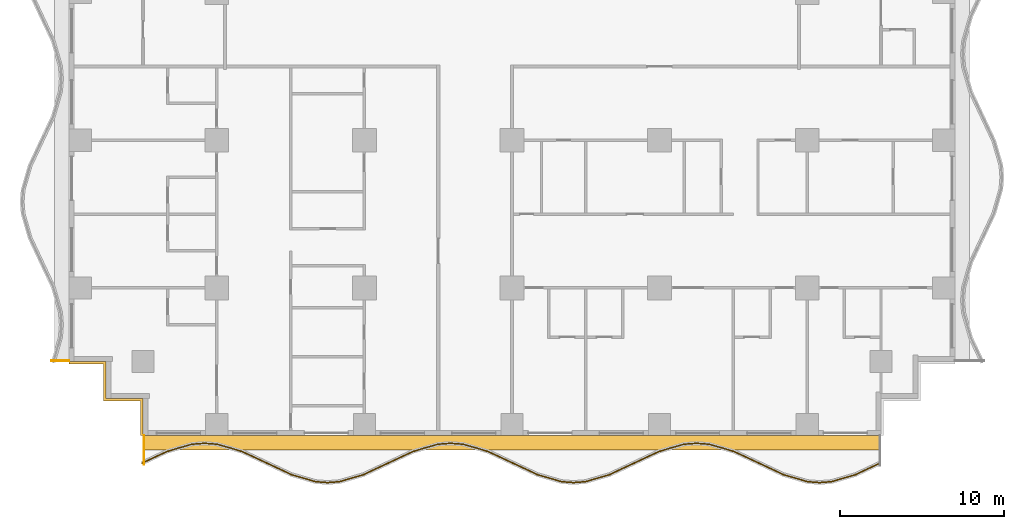
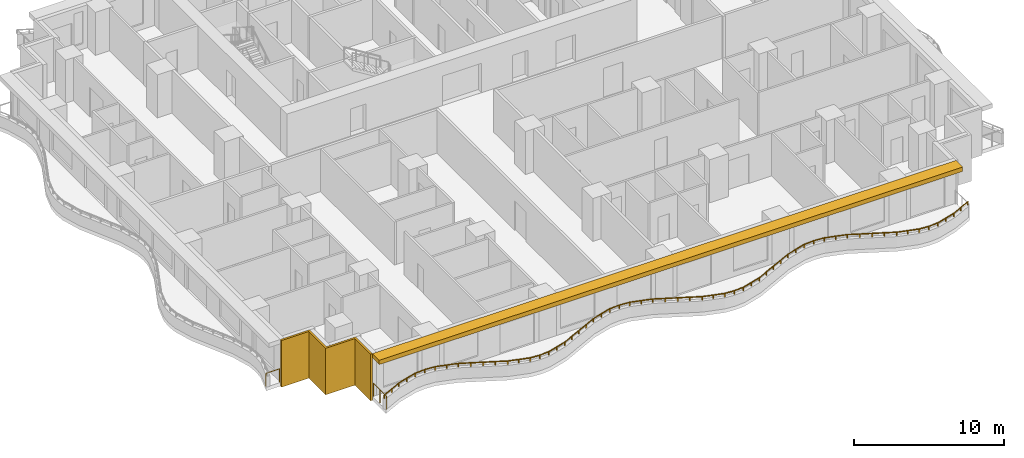
# One storey, part 8 of 14: 3 railings, 2 shading devices.
"""IFC4 building model written with IfcOpenShell, lengths in metres."""

import ifcopenshell
import ifcopenshell.guid

model = None  # the IFC model being written
_history = None  # IfcOwnerHistory: only IFC2X3 demands one
_inside = {}  # id of a spatial element -> (the spatial element, [elements in it])
_under = {}  # id of a project, library or spatial element -> (it, [spatial elements below it])
_declared = {}  # id of a project -> (the project, [libraries it declares])
_typed = {}  # id of a type object -> (the type object, [elements of that type])
_made_of = {}  # id of a material, layer set ... -> (it, [elements and type objects made of it])


def new_model(schema):
    """Start an empty IFC model of exactly this schema.

    Asked for "IFC4X3", IfcOpenShell would pick the latest addendum, in which some entities
    have other attributes; the version numbers below select the first issue.
    IFC2X3 requires an IfcOwnerHistory on every rooted entity: one is made here for all.
    """
    global model, _history
    if schema == "IFC4X3":
        model = ifcopenshell.file(schema_version=(4, 3, 0, 0))
    else:
        model = ifcopenshell.file(schema=schema)
    _inside.clear()
    _under.clear()
    _declared.clear()
    _typed.clear()
    _made_of.clear()
    _history = None
    if model.schema == "IFC2X3":
        org = make("IfcOrganization", Name="unknown")
        user = make(
            "IfcPersonAndOrganization",
            ThePerson=make("IfcPerson", FamilyName="unknown"),
            TheOrganization=org,
        )
        app = make(
            "IfcApplication",
            ApplicationDeveloper=org,
            Version="unknown",
            ApplicationFullName="unknown",
            ApplicationIdentifier="unknown",
        )
        _history = make(
            "IfcOwnerHistory",
            OwningUser=user,
            OwningApplication=app,
            ChangeAction="ADDED",
            CreationDate=0,
        )
    return model


def make(cls, **values):
    """One entity of the class cls with the attributes given. An attribute that is None is left unset."""
    return model.create_entity(
        cls, **{name: value for name, value in values.items() if value is not None}
    )


def rooted(cls, **values):
    """An entity with a GlobalId (a new one), such as an element, a storey or a relation."""
    return make(cls, GlobalId=ifcopenshell.guid.new(), OwnerHistory=_history, **values)


def si_unit(unit_type, name, prefix=None):
    """IfcSIUnit, for example si_unit("LENGTHUNIT", "METRE", prefix="MILLI")."""
    return make("IfcSIUnit", UnitType=unit_type, Prefix=prefix, Name=name)


def assignment(units):
    """IfcUnitAssignment: the units of a project."""
    return None if units is None else make("IfcUnitAssignment", Units=units)


def point(xyz):
    """IfcCartesianPoint."""
    return None if xyz is None else make("IfcCartesianPoint", Coordinates=xyz)


def direction(xyz):
    """IfcDirection."""
    return None if xyz is None else make("IfcDirection", DirectionRatios=xyz)


def frame(location, z_axis=None, x_axis=None):
    """IfcAxis2Placement3D, a coordinate frame: its origin and axes. An axis left out is left unset."""
    return make(
        "IfcAxis2Placement3D",
        Location=point(location),
        Axis=direction(z_axis),
        RefDirection=direction(x_axis),
    )


def frame_2d(location, x_axis=None):
    """IfcAxis2Placement2D, a coordinate frame in the plane: its origin and x axis."""
    return make(
        "IfcAxis2Placement2D", Location=point(location), RefDirection=direction(x_axis)
    )


def origin():
    """The frame at (0, 0, 0) with its axes left unset."""
    return frame((0.0, 0.0, 0.0))


def origin_2d():
    """The frame at (0, 0) in the plane with its x axis left unset."""
    return frame_2d((0.0, 0.0))


def place(relative_to, where):
    """IfcLocalPlacement: puts the frame where relative to a parent placement (None: the world)."""
    return make(
        "IfcLocalPlacement", PlacementRelTo=relative_to, RelativePlacement=where
    )


def context(
    kind, dimensions, precision=None, world=None, true_north=None, identifier=None
):
    """IfcGeometricRepresentationContext, for example the 3D "Model" context."""
    return make(
        "IfcGeometricRepresentationContext",
        ContextIdentifier=identifier,
        ContextType=kind,
        CoordinateSpaceDimension=dimensions,
        Precision=precision,
        WorldCoordinateSystem=world,
        TrueNorth=true_north,
    )


def subcontext(parent, identifier, kind, view, scale=None):
    """IfcGeometricRepresentationSubContext, for example "Body" below "Model"."""
    return make(
        "IfcGeometricRepresentationSubContext",
        ContextIdentifier=identifier,
        ContextType=kind,
        ParentContext=parent,
        TargetScale=scale,
        TargetView=view,
    )


def project(units=None, contexts=None):
    """IfcProject with its units and contexts."""
    return rooted(
        "IfcProject",
        Name="project",
        RepresentationContexts=contexts,
        UnitsInContext=assignment(units),
    )


def spatial(cls, under=None, at=None, **own):
    """A site, building, storey or space (cls), placed at a placement, below another one or the project."""
    s = rooted(cls, ObjectPlacement=at, **own)
    if under is not None:
        _under.setdefault(under.id(), (under, []))[1].append(s)
    return s


def polyline(points):
    """IfcPolyline through the points."""
    return make("IfcPolyline", Points=[point(p) for p in points])


def profile(cls, at=None, kind="AREA", **sizes):
    """A parametric profile (cls). Its sizes go by their IFC names, for example OverallWidth=200.0."""
    return make(cls, ProfileType=kind, Position=at, **sizes)


def rectangle(**sizes):
    """IfcRectangleProfileDef."""
    return profile("IfcRectangleProfileDef", **sizes)


def outline(outer, holes=None, kind="AREA"):
    """IfcArbitraryClosedProfileDef: a profile drawn as a closed curve; with holes, ...WithVoids."""
    if holes is None:
        return make("IfcArbitraryClosedProfileDef", ProfileType=kind, OuterCurve=outer)
    return make(
        "IfcArbitraryProfileDefWithVoids",
        ProfileType=kind,
        OuterCurve=outer,
        InnerCurves=holes,
    )


def extrude(swept, where, along, depth):
    """IfcExtrudedAreaSolid: the profile swept, set in the frame where, extruded along a direction by depth."""
    return make(
        "IfcExtrudedAreaSolid",
        SweptArea=swept,
        Position=where,
        ExtrudedDirection=direction(along),
        Depth=depth,
    )


def shape(context_of_items, identifier, shape_type, items):
    """IfcShapeRepresentation: the items that make up one representation, for example the "Body"."""
    return make(
        "IfcShapeRepresentation",
        ContextOfItems=context_of_items,
        RepresentationIdentifier=identifier,
        RepresentationType=shape_type,
        Items=items,
    )


def material(Name=None, Category=None):
    """IfcMaterial."""
    return make("IfcMaterial", Name=Name, Category=Category)


def layer(
    of_material, thickness, ventilated=None, Name=None, Category=None, Priority=None
):
    """IfcMaterialLayer: one layer of a wall or slab, of a material (None: an air gap)."""
    return make(
        "IfcMaterialLayer",
        Material=of_material,
        LayerThickness=thickness,
        IsVentilated=ventilated,
        Name=Name,
        Category=Category,
        Priority=Priority,
    )


def layer_set(layers, Name=None):
    """IfcMaterialLayerSet."""
    return make("IfcMaterialLayerSet", MaterialLayers=layers, LayerSetName=Name)


def made_of(thing, what):
    """Note that an element or type object is made of a material, layer set ...; save() writes the relation."""
    if what is not None:
        _made_of.setdefault(what.id(), (what, []))[1].append(thing)
    return thing


def type_object(cls, material=None, **own):
    """A type object (cls), such as IfcWallType, which elements share."""
    return made_of(rooted(cls, **own), material)


def element(
    cls,
    number,
    at=None,
    inside=None,
    cuts=None,
    type_object=None,
    material=None,
    context=None,
    identifier="Body",
    shape_type=None,
    held_by="IfcProductDefinitionShape",
    body=None,
    shapes=None,
    **own,
):
    """One element of the class cls, such as IfcWall. Its Tag is "e" and its number.

    at: its placement. inside: the storey or other place that contains it. cuts: it is an
    opening in that element (IfcRelVoidsElement). A single representation is given by context,
    identifier, shape_type and body (its items); several are given by shapes. held_by: the class
    of the entity that holds the representations. save() writes the other relations.
    """
    e = rooted(cls, Tag="e%d" % number, ObjectPlacement=at, **own)
    if body is not None:
        shapes = [shape(context, identifier, shape_type, body)]
    if shapes is not None:
        e.Representation = make(held_by, Representations=shapes)
    if inside is not None:
        _inside.setdefault(inside.id(), (inside, []))[1].append(e)
    if cuts is not None:
        rooted(
            "IfcRelVoidsElement", RelatingBuildingElement=cuts, RelatedOpeningElement=e
        )
    if type_object is not None:
        _typed.setdefault(type_object.id(), (type_object, []))[1].append(e)
    return made_of(e, material)


def aggregate(whole, parts):
    """IfcRelAggregates: a whole, such as a stair, and the parts it consists of."""
    return rooted("IfcRelAggregates", RelatingObject=whole, RelatedObjects=parts)


def save(model, path):
    """Write the relations noted so far, then the file.

    IfcRelAggregates (storeys below a building ...), IfcRelContainedInSpatialStructure (elements
    in a storey), IfcRelDefinesByType, IfcRelAssociatesMaterial and IfcRelDeclares: one each for
    every whole, place, type object, material and project.
    """
    for whole, parts in _under.values():
        aggregate(whole, parts)
    for where, things in _inside.values():
        rooted(
            "IfcRelContainedInSpatialStructure",
            RelatedElements=things,
            RelatingStructure=where,
        )
    for kind, things in _typed.values():
        rooted("IfcRelDefinesByType", RelatedObjects=things, RelatingType=kind)
    for what, things in _made_of.values():
        rooted("IfcRelAssociatesMaterial", RelatedObjects=things, RelatingMaterial=what)
    for by, libraries in _declared.values():
        rooted("IfcRelDeclares", RelatingContext=by, RelatedDefinitions=libraries)
    model.write(path)


model = new_model("IFC4")

# Units and contexts
model_context = context("Model", 3, precision=1e-05, world=origin(), true_north=direction((0.0, 1.0)))
body_context = subcontext(model_context, "Body", "Model", "MODEL_VIEW")
ifc_project = project(units=[si_unit("LENGTHUNIT", "METRE"), si_unit("AREAUNIT", "SQUARE_METRE"), si_unit("VOLUMEUNIT", "CUBIC_METRE"), si_unit("PLANEANGLEUNIT", "RADIAN"), si_unit("MASSUNIT", "GRAM", prefix="KILO")], contexts=[model_context])

# Site, building, storey
site_placement = place(None, origin())
site = spatial("IfcSite", under=ifc_project, at=site_placement, CompositionType="ELEMENT")
building_placement = place(site_placement, origin())
building = spatial("IfcBuilding", under=site, at=building_placement, Name="Orbiselva Terraces", CompositionType="ELEMENT")
storey_placement = place(building_placement, frame((0.0, 0.0, 60.6)))
storey = spatial("IfcBuildingStorey", under=building, at=storey_placement, Name="L15", CompositionType="ELEMENT", Elevation=60.6)

# Railings
ifc_material_1 = material(Name="Bonded two-ply safety glass balustrade, stainless steel posts", Category="steel")
railing_type_1 = type_object("IfcRailingType", Name="ENV-BALUSTRADE-1200", PredefinedType="BALUSTRADE", material=ifc_material_1)
railing_1_placement = place(storey_placement, frame((-22.553191, -24.186882, 0.9)))
element("IfcRailing", 1, at=railing_1_placement, inside=storey, type_object=railing_type_1, Name="Balcony balustrade L15 S", PredefinedType="BALUSTRADE", context=body_context, shape_type="SweptSolid", body=[
    extrude(outline(polyline([(0.028868, 0.0), (0.014434, 0.025), (-0.014434, 0.025), (-0.028868, 0.0), (-0.014434, -0.025), (0.014434, -0.025), (0.028868, 0.0)])), frame((0.0, 0.0, 0.275), z_axis=(0.904944157382, 0.425530342069, 0.0), x_axis=(-0.425530342069, 0.904944157382, 0.0)), (0.0, 0.0, 1.0), 1.667376),
    extrude(outline(polyline([(0.028868, 0.0), (0.014434, 0.025), (-0.014434, 0.025), (-0.028868, 0.0), (-0.014434, -0.025), (0.014434, -0.025), (0.028868, 0.0)])), frame((1.508882, 0.709519, 0.275), z_axis=(0.960270491427, 0.279070928786, 0.0), x_axis=(-0.279070928786, 0.960270491427, 0.0)), (0.0, 0.0, 1.0), 1.584712),
    extrude(outline(polyline([(0.028868, 0.0), (0.014434, 0.025), (-0.014434, 0.025), (-0.028868, 0.0), (-0.014434, -0.025), (0.014434, -0.025), (0.028868, 0.0)])), frame((3.030634, 1.151766, 0.275), z_axis=(0.996947796737, 0.078071061106, 0.0), x_axis=(-0.078071061106, 0.996947796737, 0.0)), (0.0, 0.0, 1.0), 0.774922),
    extrude(outline(polyline([(0.028868, 0.0), (0.014434, 0.025), (-0.014434, 0.025), (-0.028868, 0.0), (-0.014434, -0.025), (0.014434, -0.025), (0.028868, 0.0)])), frame((3.803191, 1.212265, 0.275), z_axis=(0.996947796737, -0.078071061106, 0.0), x_axis=(0.078071061106, 0.996947796737, 0.0)), (0.0, 0.0, 1.0), 0.774922),
    extrude(outline(polyline([(0.028868, 0.0), (0.014434, 0.025), (-0.014434, 0.025), (-0.028868, 0.0), (-0.014434, -0.025), (0.014434, -0.025), (0.028868, 0.0)])), frame((4.575748, 1.151766, 0.275), z_axis=(0.960270491427, -0.279070928786, 0.0), x_axis=(0.279070928786, 0.960270491427, 0.0)), (0.0, 0.0, 1.0), 1.584712),
    extrude(outline(polyline([(0.028868, 0.0), (0.014434, 0.025), (-0.014434, 0.025), (-0.028868, 0.0), (-0.014434, -0.025), (0.014434, -0.025), (0.028868, 0.0)])), frame((6.0975, 0.709519, 0.275), z_axis=(0.904944157382, -0.425530342069, 0.0), x_axis=(0.425530342069, 0.904944157382, 0.0)), (0.0, 0.0, 1.0), 1.667376),
    extrude(outline(polyline([(0.028868, 0.0), (0.014434, 0.025), (-0.014434, 0.025), (-0.028868, 0.0), (-0.014434, -0.025), (0.014434, -0.025), (0.028868, 0.0)])), frame((7.606382, 0.0, 0.275), z_axis=(0.904944359461, -0.425529912322, 0.0), x_axis=(0.425529912322, 0.904944359461, 0.0)), (0.0, 0.0, 1.0), 1.647746),
    extrude(outline(polyline([(0.028868, 0.0), (0.014434, 0.025), (-0.014434, 0.025), (-0.028868, 0.0), (-0.014434, -0.025), (0.014434, -0.025), (0.028868, 0.0)])), frame((9.0975, -0.701165, 0.275), z_axis=(0.960270317007, -0.279071528957, 0.0), x_axis=(0.279071528957, 0.960270317007, 0.0)), (0.0, 0.0, 1.0), 1.539408),
    extrude(outline(polyline([(0.028868, 0.0), (0.014434, 0.025), (-0.014434, 0.025), (-0.028868, 0.0), (-0.014434, -0.025), (0.014434, -0.025), (0.028868, 0.0)])), frame((10.575748, -1.13077, 0.275), z_axis=(0.996947916106, -0.078069536776, 0.0), x_axis=(0.078069536776, 0.996947916106, 0.0)), (0.0, 0.0, 1.0), 0.72967),
    extrude(outline(polyline([(0.028868, 0.0), (0.014434, 0.025), (-0.014434, 0.025), (-0.028868, 0.0), (-0.014434, -0.025), (0.014434, -0.025), (0.028868, 0.0)])), frame((11.303191, -1.187735, 0.275), z_axis=(0.996947916106, 0.078069536776, 0.0), x_axis=(-0.078069536776, 0.996947916106, 0.0)), (0.0, 0.0, 1.0), 0.72967),
    extrude(outline(polyline([(0.028868, 0.0), (0.014434, 0.025), (-0.014434, 0.025), (-0.028868, 0.0), (-0.014434, -0.025), (0.014434, -0.025), (0.028868, 0.0)])), frame((12.030634, -1.13077, 0.275), z_axis=(0.960270317007, 0.279071528957, 0.0), x_axis=(-0.279071528957, 0.960270317007, 0.0)), (0.0, 0.0, 1.0), 1.539408),
    extrude(outline(polyline([(0.028868, 0.0), (0.014434, 0.025), (-0.014434, 0.025), (-0.028868, 0.0), (-0.014434, -0.025), (0.014434, -0.025), (0.028868, 0.0)])), frame((13.508882, -0.701165, 0.275), z_axis=(0.904944359461, 0.425529912322, 0.0), x_axis=(-0.425529912322, 0.904944359461, 0.0)), (0.0, 0.0, 1.0), 1.647746),
    extrude(outline(polyline([(0.028868, 0.0), (0.014434, 0.025), (-0.014434, 0.025), (-0.028868, 0.0), (-0.014434, -0.025), (0.014434, -0.025), (0.028868, 0.0)])), frame((15.0, 0.0, 0.275), z_axis=(0.904944157382, 0.425530342069, 0.0), x_axis=(-0.425530342069, 0.904944157382, 0.0)), (0.0, 0.0, 1.0), 1.667376),
    extrude(outline(polyline([(0.028868, 0.0), (0.014434, 0.025), (-0.014434, 0.025), (-0.028868, 0.0), (-0.014434, -0.025), (0.014434, -0.025), (0.028868, 0.0)])), frame((16.508882, 0.709519, 0.275), z_axis=(0.960270491427, 0.279070928786, 0.0), x_axis=(-0.279070928786, 0.960270491427, 0.0)), (0.0, 0.0, 1.0), 1.584712),
    extrude(outline(polyline([(0.028868, 0.0), (0.014434, 0.025), (-0.014434, 0.025), (-0.028868, 0.0), (-0.014434, -0.025), (0.014434, -0.025), (0.028868, 0.0)])), frame((18.030634, 1.151766, 0.275), z_axis=(0.996947796737, 0.078071061106, 0.0), x_axis=(-0.078071061106, 0.996947796737, 0.0)), (0.0, 0.0, 1.0), 0.774922),
    extrude(outline(polyline([(0.028868, 0.0), (0.014434, 0.025), (-0.014434, 0.025), (-0.028868, 0.0), (-0.014434, -0.025), (0.014434, -0.025), (0.028868, 0.0)])), frame((18.803191, 1.212265, 0.275), z_axis=(0.996947796737, -0.078071061106, 0.0), x_axis=(0.078071061106, 0.996947796737, 0.0)), (0.0, 0.0, 1.0), 0.774922),
    extrude(outline(polyline([(0.028868, 0.0), (0.014434, 0.025), (-0.014434, 0.025), (-0.028868, 0.0), (-0.014434, -0.025), (0.014434, -0.025), (0.028868, 0.0)])), frame((19.575748, 1.151766, 0.275), z_axis=(0.960270491427, -0.279070928786, 0.0), x_axis=(0.279070928786, 0.960270491427, 0.0)), (0.0, 0.0, 1.0), 1.584712),
    extrude(outline(polyline([(0.028868, 0.0), (0.014434, 0.025), (-0.014434, 0.025), (-0.028868, 0.0), (-0.014434, -0.025), (0.014434, -0.025), (0.028868, 0.0)])), frame((21.0975, 0.709519, 0.275), z_axis=(0.904944157382, -0.425530342069, 0.0), x_axis=(0.425530342069, 0.904944157382, 0.0)), (0.0, 0.0, 1.0), 1.667376),
    extrude(outline(polyline([(0.028868, 0.0), (0.014434, 0.025), (-0.014434, 0.025), (-0.028868, 0.0), (-0.014434, -0.025), (0.014434, -0.025), (0.028868, 0.0)])), frame((22.606382, 0.0, 0.275), z_axis=(0.904944359461, -0.425529912322, 0.0), x_axis=(0.425529912322, 0.904944359461, 0.0)), (0.0, 0.0, 1.0), 1.647746),
    extrude(outline(polyline([(0.028868, 0.0), (0.014434, 0.025), (-0.014434, 0.025), (-0.028868, 0.0), (-0.014434, -0.025), (0.014434, -0.025), (0.028868, 0.0)])), frame((24.0975, -0.701165, 0.275), z_axis=(0.960270317007, -0.279071528957, 0.0), x_axis=(0.279071528957, 0.960270317007, 0.0)), (0.0, 0.0, 1.0), 1.539408),
    extrude(outline(polyline([(0.028868, 0.0), (0.014434, 0.025), (-0.014434, 0.025), (-0.028868, 0.0), (-0.014434, -0.025), (0.014434, -0.025), (0.028868, 0.0)])), frame((25.575748, -1.13077, 0.275), z_axis=(0.996947916106, -0.078069536776, 0.0), x_axis=(0.078069536776, 0.996947916106, 0.0)), (0.0, 0.0, 1.0), 0.72967),
    extrude(outline(polyline([(0.028868, 0.0), (0.014434, 0.025), (-0.014434, 0.025), (-0.028868, 0.0), (-0.014434, -0.025), (0.014434, -0.025), (0.028868, 0.0)])), frame((26.303191, -1.187735, 0.275), z_axis=(0.996947916106, 0.078069536776, 0.0), x_axis=(-0.078069536776, 0.996947916106, 0.0)), (0.0, 0.0, 1.0), 0.72967),
    extrude(outline(polyline([(0.028868, 0.0), (0.014434, 0.025), (-0.014434, 0.025), (-0.028868, 0.0), (-0.014434, -0.025), (0.014434, -0.025), (0.028868, 0.0)])), frame((27.030634, -1.13077, 0.275), z_axis=(0.960270317007, 0.279071528957, 0.0), x_axis=(-0.279071528957, 0.960270317007, 0.0)), (0.0, 0.0, 1.0), 1.539408),
    extrude(outline(polyline([(0.028868, 0.0), (0.014434, 0.025), (-0.014434, 0.025), (-0.028868, 0.0), (-0.014434, -0.025), (0.014434, -0.025), (0.028868, 0.0)])), frame((28.508882, -0.701165, 0.275), z_axis=(0.904944359461, 0.425529912322, 0.0), x_axis=(-0.425529912322, 0.904944359461, 0.0)), (0.0, 0.0, 1.0), 1.647746),
    extrude(outline(polyline([(0.028868, 0.0), (0.014434, 0.025), (-0.014434, 0.025), (-0.028868, 0.0), (-0.014434, -0.025), (0.014434, -0.025), (0.028868, 0.0)])), frame((30.0, 0.0, 0.275), z_axis=(0.904944157382, 0.425530342069, 0.0), x_axis=(-0.425530342069, 0.904944157382, 0.0)), (0.0, 0.0, 1.0), 1.667376),
    extrude(outline(polyline([(0.028868, 0.0), (0.014434, 0.025), (-0.014434, 0.025), (-0.028868, 0.0), (-0.014434, -0.025), (0.014434, -0.025), (0.028868, 0.0)])), frame((31.508882, 0.709519, 0.275), z_axis=(0.960270491427, 0.279070928786, 0.0), x_axis=(-0.279070928786, 0.960270491427, 0.0)), (0.0, 0.0, 1.0), 1.584712),
    extrude(outline(polyline([(0.028868, 0.0), (0.014434, 0.025), (-0.014434, 0.025), (-0.028868, 0.0), (-0.014434, -0.025), (0.014434, -0.025), (0.028868, 0.0)])), frame((33.030634, 1.151766, 0.275), z_axis=(0.996947796737, 0.078071061106, 0.0), x_axis=(-0.078071061106, 0.996947796737, 0.0)), (0.0, 0.0, 1.0), 0.774922),
    extrude(outline(polyline([(0.028868, 0.0), (0.014434, 0.025), (-0.014434, 0.025), (-0.028868, 0.0), (-0.014434, -0.025), (0.014434, -0.025), (0.028868, 0.0)])), frame((33.803191, 1.212265, 0.275), z_axis=(0.996947796737, -0.078071061106, 0.0), x_axis=(0.078071061106, 0.996947796737, 0.0)), (0.0, 0.0, 1.0), 0.774922),
    extrude(outline(polyline([(0.028868, 0.0), (0.014434, 0.025), (-0.014434, 0.025), (-0.028868, 0.0), (-0.014434, -0.025), (0.014434, -0.025), (0.028868, 0.0)])), frame((34.575748, 1.151766, 0.275), z_axis=(0.960270491427, -0.279070928786, 0.0), x_axis=(0.279070928786, 0.960270491427, 0.0)), (0.0, 0.0, 1.0), 1.584712),
    extrude(outline(polyline([(0.028868, 0.0), (0.014434, 0.025), (-0.014434, 0.025), (-0.028868, 0.0), (-0.014434, -0.025), (0.014434, -0.025), (0.028868, 0.0)])), frame((36.0975, 0.709519, 0.275), z_axis=(0.904944157382, -0.425530342069, 0.0), x_axis=(0.425530342069, 0.904944157382, 0.0)), (0.0, 0.0, 1.0), 1.667376),
    extrude(outline(polyline([(0.028868, 0.0), (0.014434, 0.025), (-0.014434, 0.025), (-0.028868, 0.0), (-0.014434, -0.025), (0.014434, -0.025), (0.028868, 0.0)])), frame((37.606382, 0.0, 0.275), z_axis=(0.904944359461, -0.425529912322, 0.0), x_axis=(0.425529912322, 0.904944359461, 0.0)), (0.0, 0.0, 1.0), 1.647746),
    extrude(outline(polyline([(0.028868, 0.0), (0.014434, 0.025), (-0.014434, 0.025), (-0.028868, 0.0), (-0.014434, -0.025), (0.014434, -0.025), (0.028868, 0.0)])), frame((39.0975, -0.701165, 0.275), z_axis=(0.960270317007, -0.279071528957, 0.0), x_axis=(0.279071528957, 0.960270317007, 0.0)), (0.0, 0.0, 1.0), 1.539408),
    extrude(outline(polyline([(0.028868, 0.0), (0.014434, 0.025), (-0.014434, 0.025), (-0.028868, 0.0), (-0.014434, -0.025), (0.014434, -0.025), (0.028868, 0.0)])), frame((40.575748, -1.13077, 0.275), z_axis=(0.996947916106, -0.078069536776, 0.0), x_axis=(0.078069536776, 0.996947916106, 0.0)), (0.0, 0.0, 1.0), 0.72967),
    extrude(outline(polyline([(0.028868, 0.0), (0.014434, 0.025), (-0.014434, 0.025), (-0.028868, 0.0), (-0.014434, -0.025), (0.014434, -0.025), (0.028868, 0.0)])), frame((41.303191, -1.187735, 0.275), z_axis=(0.996947916106, 0.078069536776, 0.0), x_axis=(-0.078069536776, 0.996947916106, 0.0)), (0.0, 0.0, 1.0), 0.72967),
    extrude(outline(polyline([(0.028868, 0.0), (0.014434, 0.025), (-0.014434, 0.025), (-0.028868, 0.0), (-0.014434, -0.025), (0.014434, -0.025), (0.028868, 0.0)])), frame((42.030634, -1.13077, 0.275), z_axis=(0.960270317007, 0.279071528957, 0.0), x_axis=(-0.279071528957, 0.960270317007, 0.0)), (0.0, 0.0, 1.0), 1.539408),
    extrude(outline(polyline([(0.028868, 0.0), (0.014434, 0.025), (-0.014434, 0.025), (-0.028868, 0.0), (-0.014434, -0.025), (0.014434, -0.025), (0.028868, 0.0)])), frame((43.508882, -0.701165, 0.275), z_axis=(0.904944359461, 0.425529912322, 0.0), x_axis=(-0.425529912322, 0.904944359461, 0.0)), (0.0, 0.0, 1.0), 1.647746),
    extrude(rectangle(XDim=0.05, YDim=0.05, at=origin_2d()), origin(), (0.0, 0.0, 1.0), 0.25),
    extrude(rectangle(XDim=0.05, YDim=0.05, at=origin_2d()), frame((0.754441, 0.35476, 0.0)), (0.0, 0.0, 1.0), 0.25),
    extrude(rectangle(XDim=0.05, YDim=0.05, at=origin_2d()), frame((1.508882, 0.709519, 0.0)), (0.0, 0.0, 1.0), 0.25),
    extrude(rectangle(XDim=0.05, YDim=0.05, at=origin_2d()), frame((2.269758, 0.930643, 0.0)), (0.0, 0.0, 1.0), 0.25),
    extrude(rectangle(XDim=0.05, YDim=0.05, at=origin_2d()), frame((3.030634, 1.151766, 0.0)), (0.0, 0.0, 1.0), 0.25),
    extrude(rectangle(XDim=0.05, YDim=0.05, at=origin_2d()), frame((3.803191, 1.212265, 0.0)), (0.0, 0.0, 1.0), 0.25),
    extrude(rectangle(XDim=0.05, YDim=0.05, at=origin_2d()), frame((4.575748, 1.151766, 0.0)), (0.0, 0.0, 1.0), 0.25),
    extrude(rectangle(XDim=0.05, YDim=0.05, at=origin_2d()), frame((5.336624, 0.930643, 0.0)), (0.0, 0.0, 1.0), 0.25),
    extrude(rectangle(XDim=0.05, YDim=0.05, at=origin_2d()), frame((6.0975, 0.709519, 0.0)), (0.0, 0.0, 1.0), 0.25),
    extrude(rectangle(XDim=0.05, YDim=0.05, at=origin_2d()), frame((6.851941, 0.35476, 0.0)), (0.0, 0.0, 1.0), 0.25),
    extrude(rectangle(XDim=0.05, YDim=0.05, at=origin_2d()), frame((7.606382, 0.0, 0.0)), (0.0, 0.0, 1.0), 0.25),
    extrude(rectangle(XDim=0.05, YDim=0.05, at=origin_2d()), frame((8.351941, -0.350582, 0.0)), (0.0, 0.0, 1.0), 0.25),
    extrude(rectangle(XDim=0.05, YDim=0.05, at=origin_2d()), frame((9.0975, -0.701165, 0.0)), (0.0, 0.0, 1.0), 0.25),
    extrude(rectangle(XDim=0.05, YDim=0.05, at=origin_2d()), frame((9.836624, -0.915967, 0.0)), (0.0, 0.0, 1.0), 0.25),
    extrude(rectangle(XDim=0.05, YDim=0.05, at=origin_2d()), frame((10.575748, -1.13077, 0.0)), (0.0, 0.0, 1.0), 0.25),
    extrude(rectangle(XDim=0.05, YDim=0.05, at=origin_2d()), frame((11.303191, -1.187735, 0.0)), (0.0, 0.0, 1.0), 0.25),
    extrude(rectangle(XDim=0.05, YDim=0.05, at=origin_2d()), frame((12.030634, -1.13077, 0.0)), (0.0, 0.0, 1.0), 0.25),
    extrude(rectangle(XDim=0.05, YDim=0.05, at=origin_2d()), frame((12.769758, -0.915967, 0.0)), (0.0, 0.0, 1.0), 0.25),
    extrude(rectangle(XDim=0.05, YDim=0.05, at=origin_2d()), frame((13.508882, -0.701165, 0.0)), (0.0, 0.0, 1.0), 0.25),
    extrude(rectangle(XDim=0.05, YDim=0.05, at=origin_2d()), frame((14.254441, -0.350582, 0.0)), (0.0, 0.0, 1.0), 0.25),
    extrude(rectangle(XDim=0.05, YDim=0.05, at=origin_2d()), frame((15.0, 0.0, 0.0)), (0.0, 0.0, 1.0), 0.25),
    extrude(rectangle(XDim=0.05, YDim=0.05, at=origin_2d()), frame((15.754441, 0.35476, 0.0)), (0.0, 0.0, 1.0), 0.25),
    extrude(rectangle(XDim=0.05, YDim=0.05, at=origin_2d()), frame((16.508882, 0.709519, 0.0)), (0.0, 0.0, 1.0), 0.25),
    extrude(rectangle(XDim=0.05, YDim=0.05, at=origin_2d()), frame((17.269758, 0.930643, 0.0)), (0.0, 0.0, 1.0), 0.25),
    extrude(rectangle(XDim=0.05, YDim=0.05, at=origin_2d()), frame((18.030634, 1.151766, 0.0)), (0.0, 0.0, 1.0), 0.25),
    extrude(rectangle(XDim=0.05, YDim=0.05, at=origin_2d()), frame((18.803191, 1.212265, 0.0)), (0.0, 0.0, 1.0), 0.25),
    extrude(rectangle(XDim=0.05, YDim=0.05, at=origin_2d()), frame((19.575748, 1.151766, 0.0)), (0.0, 0.0, 1.0), 0.25),
    extrude(rectangle(XDim=0.05, YDim=0.05, at=origin_2d()), frame((20.336624, 0.930643, 0.0)), (0.0, 0.0, 1.0), 0.25),
    extrude(rectangle(XDim=0.05, YDim=0.05, at=origin_2d()), frame((21.0975, 0.709519, 0.0)), (0.0, 0.0, 1.0), 0.25),
    extrude(rectangle(XDim=0.05, YDim=0.05, at=origin_2d()), frame((21.851941, 0.35476, 0.0)), (0.0, 0.0, 1.0), 0.25),
    extrude(rectangle(XDim=0.05, YDim=0.05, at=origin_2d()), frame((22.606382, 0.0, 0.0)), (0.0, 0.0, 1.0), 0.25),
    extrude(rectangle(XDim=0.05, YDim=0.05, at=origin_2d()), frame((23.351941, -0.350582, 0.0)), (0.0, 0.0, 1.0), 0.25),
    extrude(rectangle(XDim=0.05, YDim=0.05, at=origin_2d()), frame((24.0975, -0.701165, 0.0)), (0.0, 0.0, 1.0), 0.25),
    extrude(rectangle(XDim=0.05, YDim=0.05, at=origin_2d()), frame((24.836624, -0.915967, 0.0)), (0.0, 0.0, 1.0), 0.25),
    extrude(rectangle(XDim=0.05, YDim=0.05, at=origin_2d()), frame((25.575748, -1.13077, 0.0)), (0.0, 0.0, 1.0), 0.25),
    extrude(rectangle(XDim=0.05, YDim=0.05, at=origin_2d()), frame((26.303191, -1.187735, 0.0)), (0.0, 0.0, 1.0), 0.25),
    extrude(rectangle(XDim=0.05, YDim=0.05, at=origin_2d()), frame((27.030634, -1.13077, 0.0)), (0.0, 0.0, 1.0), 0.25),
    extrude(rectangle(XDim=0.05, YDim=0.05, at=origin_2d()), frame((27.769758, -0.915967, 0.0)), (0.0, 0.0, 1.0), 0.25),
    extrude(rectangle(XDim=0.05, YDim=0.05, at=origin_2d()), frame((28.508882, -0.701165, 0.0)), (0.0, 0.0, 1.0), 0.25),
    extrude(rectangle(XDim=0.05, YDim=0.05, at=origin_2d()), frame((29.254441, -0.350582, 0.0)), (0.0, 0.0, 1.0), 0.25),
    extrude(rectangle(XDim=0.05, YDim=0.05, at=origin_2d()), frame((30.0, 0.0, 0.0)), (0.0, 0.0, 1.0), 0.25),
    extrude(rectangle(XDim=0.05, YDim=0.05, at=origin_2d()), frame((30.754441, 0.35476, 0.0)), (0.0, 0.0, 1.0), 0.25),
    extrude(rectangle(XDim=0.05, YDim=0.05, at=origin_2d()), frame((31.508882, 0.709519, 0.0)), (0.0, 0.0, 1.0), 0.25),
    extrude(rectangle(XDim=0.05, YDim=0.05, at=origin_2d()), frame((32.269758, 0.930643, 0.0)), (0.0, 0.0, 1.0), 0.25),
    extrude(rectangle(XDim=0.05, YDim=0.05, at=origin_2d()), frame((33.030634, 1.151766, 0.0)), (0.0, 0.0, 1.0), 0.25),
    extrude(rectangle(XDim=0.05, YDim=0.05, at=origin_2d()), frame((33.803191, 1.212265, 0.0)), (0.0, 0.0, 1.0), 0.25),
    extrude(rectangle(XDim=0.05, YDim=0.05, at=origin_2d()), frame((34.575748, 1.151766, 0.0)), (0.0, 0.0, 1.0), 0.25),
    extrude(rectangle(XDim=0.05, YDim=0.05, at=origin_2d()), frame((35.336624, 0.930643, 0.0)), (0.0, 0.0, 1.0), 0.25),
    extrude(rectangle(XDim=0.05, YDim=0.05, at=origin_2d()), frame((36.0975, 0.709519, 0.0)), (0.0, 0.0, 1.0), 0.25),
    extrude(rectangle(XDim=0.05, YDim=0.05, at=origin_2d()), frame((36.851941, 0.35476, 0.0)), (0.0, 0.0, 1.0), 0.25),
    extrude(rectangle(XDim=0.05, YDim=0.05, at=origin_2d()), frame((37.606382, 0.0, 0.0)), (0.0, 0.0, 1.0), 0.25),
    extrude(rectangle(XDim=0.05, YDim=0.05, at=origin_2d()), frame((38.351941, -0.350582, 0.0)), (0.0, 0.0, 1.0), 0.25),
    extrude(rectangle(XDim=0.05, YDim=0.05, at=origin_2d()), frame((39.0975, -0.701165, 0.0)), (0.0, 0.0, 1.0), 0.25),
    extrude(rectangle(XDim=0.05, YDim=0.05, at=origin_2d()), frame((39.836624, -0.915967, 0.0)), (0.0, 0.0, 1.0), 0.25),
    extrude(rectangle(XDim=0.05, YDim=0.05, at=origin_2d()), frame((40.575748, -1.13077, 0.0)), (0.0, 0.0, 1.0), 0.25),
    extrude(rectangle(XDim=0.05, YDim=0.05, at=origin_2d()), frame((41.303191, -1.187735, 0.0)), (0.0, 0.0, 1.0), 0.25),
    extrude(rectangle(XDim=0.05, YDim=0.05, at=origin_2d()), frame((42.030634, -1.13077, 0.0)), (0.0, 0.0, 1.0), 0.25),
    extrude(rectangle(XDim=0.05, YDim=0.05, at=origin_2d()), frame((42.769758, -0.915967, 0.0)), (0.0, 0.0, 1.0), 0.25),
    extrude(rectangle(XDim=0.05, YDim=0.05, at=origin_2d()), frame((43.508882, -0.701165, 0.0)), (0.0, 0.0, 1.0), 0.25),
    extrude(rectangle(XDim=0.05, YDim=0.05, at=origin_2d()), frame((44.254441, -0.350582, 0.0)), (0.0, 0.0, 1.0), 0.25),
    extrude(rectangle(XDim=0.05, YDim=0.05, at=origin_2d()), frame((45.0, 0.0, 0.0)), (0.0, 0.0, 1.0), 0.25),
])
ifc_material_2 = material(Name="Stainless steel rail and posts", Category="steel")
railing_type_2 = type_object("IfcRailingType", Name="ENV-GUARD-1105", PredefinedType="BALUSTRADE", material=ifc_material_2)
railing_2_placement = place(storey_placement, frame((-22.44, -24.269844, 0.0)))
element("IfcRailing", 2, at=railing_2_placement, inside=storey, type_object=railing_type_2, Name="Balcony end guard L15 S", PredefinedType="BALUSTRADE", context=body_context, shape_type="SweptSolid", body=[
    extrude(outline(polyline([(0.028868, 0.0), (0.014434, 0.025), (-0.014434, 0.025), (-0.028868, 0.0), (-0.014434, -0.025), (0.014434, -0.025), (0.028868, 0.0)])), frame((0.0, 0.0, 1.08), z_axis=(0.0, 1.0, 0.0), x_axis=(-1.0, 0.0, 0.0)), (0.0, 0.0, 1.0), 1.744844),
    extrude(rectangle(XDim=0.05, YDim=0.05, at=origin_2d()), origin(), (0.0, 0.0, 1.0), 1.055),
    extrude(rectangle(XDim=0.05, YDim=0.05, at=origin_2d()), frame((0.0, 0.872422, 0.0)), (0.0, 0.0, 1.0), 1.055),
    extrude(rectangle(XDim=0.05, YDim=0.05, at=origin_2d()), frame((0.0, 1.744844, 0.0)), (0.0, 0.0, 1.0), 1.055),
])
railing_3_placement = place(storey_placement, frame((-28.070484, -17.94, 0.0)))
element("IfcRailing", 3, at=railing_3_placement, inside=storey, type_object=railing_type_2, Name="Balcony end guard L15 W", PredefinedType="BALUSTRADE", context=body_context, shape_type="SweptSolid", body=[
    extrude(outline(polyline([(0.028868, 0.0), (0.014434, 0.025), (-0.014434, 0.025), (-0.028868, 0.0), (-0.014434, -0.025), (0.014434, -0.025), (0.028868, 0.0)])), frame((0.0, 0.0, 1.08), z_axis=(1.0, 0.0, 0.0), x_axis=(0.0, 1.0, 0.0)), (0.0, 0.0, 1.0), 1.045484),
    extrude(rectangle(XDim=0.05, YDim=0.05, at=origin_2d()), origin(), (0.0, 0.0, 1.0), 1.055),
    extrude(rectangle(XDim=0.05, YDim=0.05, at=origin_2d()), frame((1.045484, 0.0, 0.0)), (0.0, 0.0, 1.0), 1.055),
])

# Shading devices
ifc_material_3 = material(Name="Terracotta louvre screen", Category="masonry")
ifc_layer_1 = layer(ifc_material_3, 0.15)
ifc_layer_set_1 = layer_set([ifc_layer_1], Name="Terracotta louvre screen")
shading_device_type_1 = type_object("IfcShadingDeviceType", Name="ENV-SCREEN-150", PredefinedType="USERDEFINED", material=ifc_layer_set_1)
shading_device_1_placement = place(storey_placement, frame((0.0, 0.0, -0.3)))
element("IfcShadingDevice", 4, at=shading_device_1_placement, inside=storey, type_object=shading_device_type_1, Name="Louvre screen L15 SW", ObjectType="SCREEN", PredefinedType="USERDEFINED", context=body_context, shape_type="SweptSolid", body=[
    extrude(outline(polyline([(-27.0, -18.15), (-24.9, -18.15), (-24.9, -20.4), (-22.65, -20.4), (-22.65, -22.5), (-22.5, -22.5), (-22.5, -20.25), (-24.75, -20.25), (-24.75, -18.0), (-27.0, -18.0), (-27.0, -18.15)])), origin(), (0.0, 0.0, 1.0), 3.8),
])
ifc_material_4 = material(Name="Terracotta baguette sunshade", Category="masonry")
ifc_layer_2 = layer(ifc_material_4, 0.35)
ifc_layer_set_2 = layer_set([ifc_layer_2], Name="Terracotta baguette sunshade")
shading_device_type_2 = type_object("IfcShadingDeviceType", Name="ENV-SUNSHADE-900x350", PredefinedType="USERDEFINED", material=ifc_layer_set_2)
shading_device_2_placement = place(storey_placement, frame((0.0, 0.0, 3.15)))
element("IfcShadingDevice", 5, at=shading_device_2_placement, inside=storey, type_object=shading_device_type_2, Name="Sunshade band L15 S", ObjectType="SUNSHADE", PredefinedType="USERDEFINED", context=body_context, shape_type="SweptSolid", body=[
    extrude(outline(polyline([(-22.5, -23.4), (22.5, -23.4), (22.5, -22.5), (-22.5, -22.5), (-22.5, -23.4)])), origin(), (0.0, 0.0, 1.0), 0.35),
])

save(model, "model.ifc")
